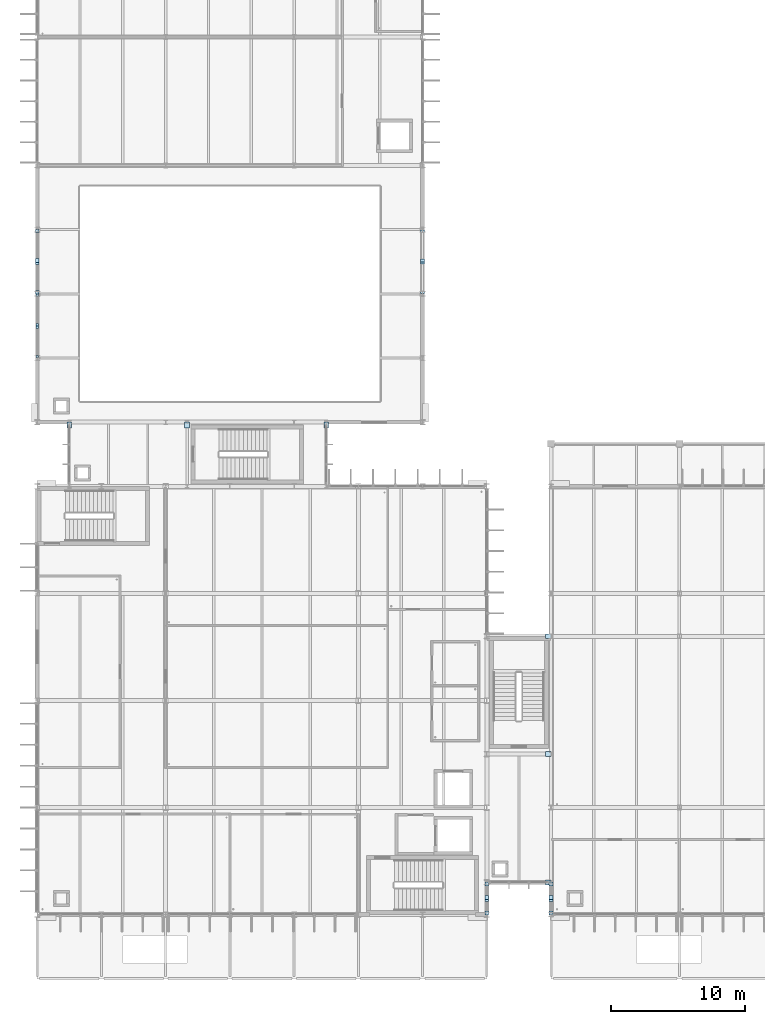
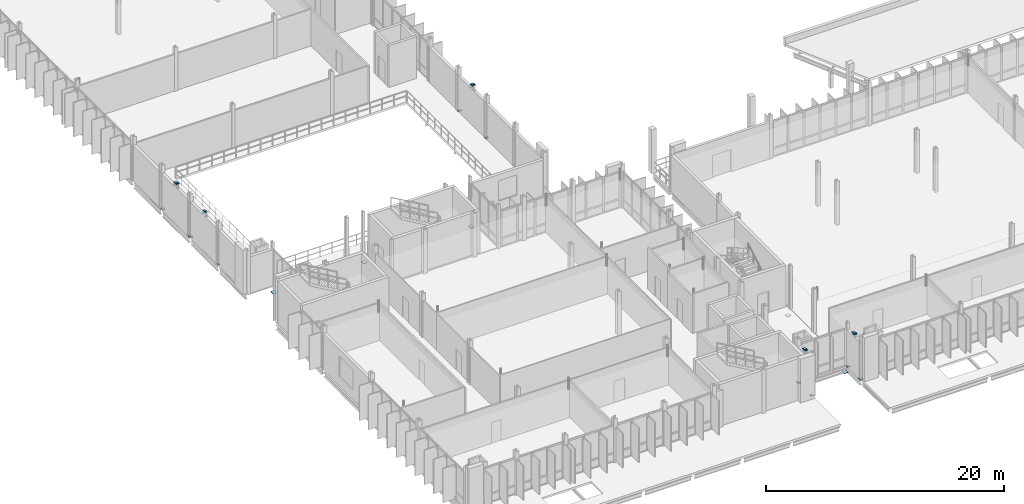
# One storey, part 56 of 107: 26 plates.
"""IFC4 building model written with IfcOpenShell, lengths in metres."""

from ifc_helpers import new_model, si_unit, direction, frame, origin, origin_2d, place, context, subcontext, project, spatial, rectangle, extrude, material, layer, layer_set, type_object, element, save


model = new_model("IFC4")

# Units and contexts
model_context = context("Model", 3, precision=1e-05, world=origin(), true_north=direction((0.0, 1.0)))
body_context = subcontext(model_context, "Body", "Model", "MODEL_VIEW")
ifc_project = project(units=[si_unit("LENGTHUNIT", "METRE"), si_unit("AREAUNIT", "SQUARE_METRE"), si_unit("VOLUMEUNIT", "CUBIC_METRE"), si_unit("PLANEANGLEUNIT", "RADIAN"), si_unit("MASSUNIT", "GRAM", prefix="KILO")], contexts=[model_context])

# Site, building, storey
site_placement = place(None, origin())
site = spatial("IfcSite", under=ifc_project, at=site_placement, CompositionType="ELEMENT")
building_placement = place(site_placement, origin())
building = spatial("IfcBuilding", under=site, at=building_placement, Name="Dunescarp Central Library", CompositionType="ELEMENT")
storey_placement = place(building_placement, frame((0.0, 0.0, 5.10009765625)))
storey = spatial("IfcBuildingStorey", under=building, at=storey_placement, Name="L01", CompositionType="ELEMENT", Elevation=5.10009765625)

# Plates
ifc_material = material(Name="Steel S355J0", Category="steel")
ifc_layer_1 = layer(ifc_material, 0.02001953125)
ifc_layer_set_1 = layer_set([ifc_layer_1], Name="Steel S355J0")
plate_type_1 = type_object("IfcPlateType", Name="STR-PLT-GUS1", PredefinedType="USERDEFINED", material=ifc_layer_set_1)
for number, where, z_axis, x_axis, name in (
    (1, (33.60009765625, 4.919921875, -0.01806640625), (0.0, 0.0, 1.0), (1.0, 0.0, 0.0), "Brace foot gusset plate GP-005"),
    (2, (33.60009765625, 7.080078125, -0.01806640625), (0.0, 0.0, 1.0), (1.0, 0.0, 0.0), "Brace foot gusset plate GP-007"),
):
    element("IfcPlate", number, at=place(storey_placement, frame(where, z_axis=z_axis, x_axis=x_axis)), inside=storey, type_object=plate_type_1, Name=name, ObjectType="GUSSET_PLATE", PredefinedType="USERDEFINED", context=body_context, shape_type="SweptSolid", body=[
        extrude(rectangle(XDim=0.279052734375, YDim=0.279052734375, at=origin_2d()), origin(), (0.0, 0.0, 1.0), 0.035888671875),
    ])
for number, where, z_axis, x_axis, name in (
    (3, (38.39990234375, 4.919921875, -0.01806640625), (0.0, 0.0, 1.0), (1.0, 0.0, 0.0), "Brace foot gusset plate GP-029"),
    (4, (38.39990234375, 7.080078125, -0.01806640625), (0.0, 0.0, 1.0), (1.0, 0.0, 0.0), "Brace foot gusset plate GP-031"),
):
    element("IfcPlate", number, at=place(storey_placement, frame(where, z_axis=z_axis, x_axis=x_axis)), inside=storey, type_object=plate_type_1, Name=name, ObjectType="GUSSET_PLATE", PredefinedType="USERDEFINED", context=body_context, shape_type="SweptSolid", body=[
        extrude(rectangle(XDim=0.303955078125, YDim=0.303955078125, at=origin_2d()), origin(), (0.0, 0.0, 1.0), 0.035888671875),
    ])
for number, where, z_axis, x_axis, name in (
    (5, (0.0, 51.320068359375, -0.01806640625), (0.0, 0.0, 1.0), (1.0, 0.0, 0.0), "Brace foot gusset plate GP-101"),
    (6, (0.0, 55.8798828125, -0.01806640625), (0.0, 0.0, 1.0), (1.0, 0.0, 0.0), "Brace foot gusset plate GP-103"),
):
    element("IfcPlate", number, at=place(storey_placement, frame(where, z_axis=z_axis, x_axis=x_axis)), inside=storey, type_object=plate_type_1, Name=name, ObjectType="GUSSET_PLATE", PredefinedType="USERDEFINED", context=body_context, shape_type="SweptSolid", body=[
        extrude(rectangle(XDim=0.279052734375, YDim=0.279052734375, at=origin_2d()), origin(), (0.0, 0.0, 1.0), 0.035888671875),
    ])
for number, where, z_axis, x_axis, name in (
    (7, (0.0, 46.52001953125, -0.01806640625), (0.0, 0.0, 1.0), (1.0, 0.0, 0.0), "Brace foot gusset plate GP-105"),
    (8, (0.0, 51.080078125, -0.01806640625), (0.0, 0.0, 1.0), (1.0, 0.0, 0.0), "Brace foot gusset plate GP-107"),
):
    element("IfcPlate", number, at=place(storey_placement, frame(where, z_axis=z_axis, x_axis=x_axis)), inside=storey, type_object=plate_type_1, Name=name, ObjectType="GUSSET_PLATE", PredefinedType="USERDEFINED", context=body_context, shape_type="SweptSolid", body=[
        extrude(rectangle(XDim=0.199951171875, YDim=0.199951171875, at=origin_2d()), origin(), (0.0, 0.0, 1.0), 0.035888671875),
    ])
for number, where, z_axis, x_axis, name in (
    (9, (28.800048828125, 51.320068359375, -0.01806640625), (0.0, 0.0, 1.0), (1.0, 0.0, 0.0), "Brace foot gusset plate GP-113"),
    (10, (28.800048828125, 55.8798828125, -0.01806640625), (0.0, 0.0, 1.0), (1.0, 0.0, 0.0), "Brace foot gusset plate GP-115"),
):
    element("IfcPlate", number, at=place(storey_placement, frame(where, z_axis=z_axis, x_axis=x_axis)), inside=storey, type_object=plate_type_1, Name=name, ObjectType="GUSSET_PLATE", PredefinedType="USERDEFINED", context=body_context, shape_type="SweptSolid", body=[
        extrude(rectangle(XDim=0.31005859375, YDim=0.2099609375, at=origin_2d()), origin(), (0.0, 0.0, 1.0), 0.035888671875),
    ])
ifc_layer_2 = layer(ifc_material, 0.01611328125)
ifc_layer_set_2 = layer_set([ifc_layer_2], Name="Steel S355J0")
plate_type_2 = type_object("IfcPlateType", Name="STR-PLT-GUS2", PredefinedType="USERDEFINED", material=ifc_layer_set_2)
for number, where, z_axis, x_axis, name in (
    (11, (33.60009765625, 5.919921875, 4.03173828125), (0.0, 0.0, 1.0), (1.0, 0.0, 0.0), "Brace apex gusset plate GP-006"),
    (12, (33.60009765625, 6.080078125, 4.03173828125), (0.0, 0.0, 1.0), (1.0, 0.0, 0.0), "Brace apex gusset plate GP-008"),
):
    element("IfcPlate", number, at=place(storey_placement, frame(where, z_axis=z_axis, x_axis=x_axis)), inside=storey, type_object=plate_type_2, Name=name, ObjectType="GUSSET_PLATE", PredefinedType="USERDEFINED", context=body_context, shape_type="SweptSolid", body=[
        extrude(rectangle(XDim=0.279052734375, YDim=0.279052734375, at=origin_2d()), origin(), (0.0, 0.0, 1.0), 0.035888671875),
    ])
for number, where, z_axis, x_axis, name in (
    (13, (38.39990234375, 5.919921875, 4.03173828125), (0.0, 0.0, 1.0), (1.0, 0.0, 0.0), "Brace apex gusset plate GP-030"),
    (14, (38.39990234375, 6.080078125, 4.03173828125), (0.0, 0.0, 1.0), (1.0, 0.0, 0.0), "Brace apex gusset plate GP-032"),
):
    element("IfcPlate", number, at=place(storey_placement, frame(where, z_axis=z_axis, x_axis=x_axis)), inside=storey, type_object=plate_type_2, Name=name, ObjectType="GUSSET_PLATE", PredefinedType="USERDEFINED", context=body_context, shape_type="SweptSolid", body=[
        extrude(rectangle(XDim=0.303955078125, YDim=0.303955078125, at=origin_2d()), origin(), (0.0, 0.0, 1.0), 0.035888671875),
    ])
for number, where, z_axis, x_axis, name in (
    (15, (0.0, 53.52001953125, 4.03173828125), (0.0, 0.0, 1.0), (1.0, 0.0, 0.0), "Brace apex gusset plate GP-102"),
    (16, (0.0, 53.679931640625, 4.03173828125), (0.0, 0.0, 1.0), (1.0, 0.0, 0.0), "Brace apex gusset plate GP-104"),
):
    element("IfcPlate", number, at=place(storey_placement, frame(where, z_axis=z_axis, x_axis=x_axis)), inside=storey, type_object=plate_type_2, Name=name, ObjectType="GUSSET_PLATE", PredefinedType="USERDEFINED", context=body_context, shape_type="SweptSolid", body=[
        extrude(rectangle(XDim=0.279052734375, YDim=0.279052734375, at=origin_2d()), origin(), (0.0, 0.0, 1.0), 0.035888671875),
    ])
for number, where, z_axis, x_axis, name in (
    (17, (0.0, 48.719970703125, 4.03173828125), (0.0, 0.0, 1.0), (1.0, 0.0, 0.0), "Brace apex gusset plate GP-106"),
    (18, (0.0, 48.8798828125, 4.03173828125), (0.0, 0.0, 1.0), (1.0, 0.0, 0.0), "Brace apex gusset plate GP-108"),
):
    element("IfcPlate", number, at=place(storey_placement, frame(where, z_axis=z_axis, x_axis=x_axis)), inside=storey, type_object=plate_type_2, Name=name, ObjectType="GUSSET_PLATE", PredefinedType="USERDEFINED", context=body_context, shape_type="SweptSolid", body=[
        extrude(rectangle(XDim=0.199951171875, YDim=0.199951171875, at=origin_2d()), origin(), (0.0, 0.0, 1.0), 0.035888671875),
    ])
for number, where, z_axis, x_axis, name in (
    (19, (28.800048828125, 53.52001953125, 4.03173828125), (0.0, 0.0, 1.0), (1.0, 0.0, 0.0), "Brace apex gusset plate GP-114"),
    (20, (28.800048828125, 53.679931640625, 4.03173828125), (0.0, 0.0, 1.0), (1.0, 0.0, 0.0), "Brace apex gusset plate GP-116"),
):
    element("IfcPlate", number, at=place(storey_placement, frame(where, z_axis=z_axis, x_axis=x_axis)), inside=storey, type_object=plate_type_2, Name=name, ObjectType="GUSSET_PLATE", PredefinedType="USERDEFINED", context=body_context, shape_type="SweptSolid", body=[
        extrude(rectangle(XDim=0.31005859375, YDim=0.2099609375, at=origin_2d()), origin(), (0.0, 0.0, 1.0), 0.035888671875),
    ])
ifc_layer_3 = layer(ifc_material, 0.0400390625)
ifc_layer_set_3 = layer_set([ifc_layer_3], Name="Steel S355J0")
plate_type_3 = type_object("IfcPlateType", Name="STR-PLT-SEAT420", PredefinedType="USERDEFINED", material=ifc_layer_set_3)
for number, where, z_axis, x_axis, name in (
    (21, (38.18994140625, 7.199951171875, -0.650146484375), (0.0, 0.0, 1.0), (1.0, 0.0, 0.0), "L01 GL1 420 mm sliding link bearing seat BRG-01"),
    (22, (38.18994140625, 16.800048828125, -0.650146484375), (0.0, 0.0, 1.0), (1.0, 0.0, 0.0), "L01 GL1 420 mm sliding link bearing seat BRG-01"),
    (23, (38.18994140625, 25.60009765625, -0.650146484375), (0.0, 0.0, 1.0), (1.0, 0.0, 0.0), "L01 GL1 420 mm sliding link bearing seat BRG-01"),
    (24, (2.39990234375, 41.389892578125, -0.650146484375), (0.0, 0.0, 1.0), (0.0, 1.0, 0.0), "L01 GL4 420 mm sliding link bearing seat BRG-04"),
    (25, (11.199951171875, 41.389892578125, -0.650146484375), (0.0, 0.0, 1.0), (0.0, 1.0, 0.0), "L01 GL4 420 mm sliding link bearing seat BRG-04"),
    (26, (21.60009765625, 41.389892578125, -0.650146484375), (0.0, 0.0, 1.0), (0.0, 1.0, 0.0), "L01 GL4 420 mm sliding link bearing seat BRG-04"),
):
    element("IfcPlate", number, at=place(storey_placement, frame(where, z_axis=z_axis, x_axis=x_axis)), inside=storey, type_object=plate_type_3, Name=name, ObjectType="BASE_PLATE", PredefinedType="USERDEFINED", context=body_context, shape_type="SweptSolid", body=[
        extrude(rectangle(XDim=0.419921875, YDim=0.360107421875, at=origin_2d()), origin(), (0.0, 0.0, 1.0), 0.0400390625),
    ])

save(model, "model.ifc")
